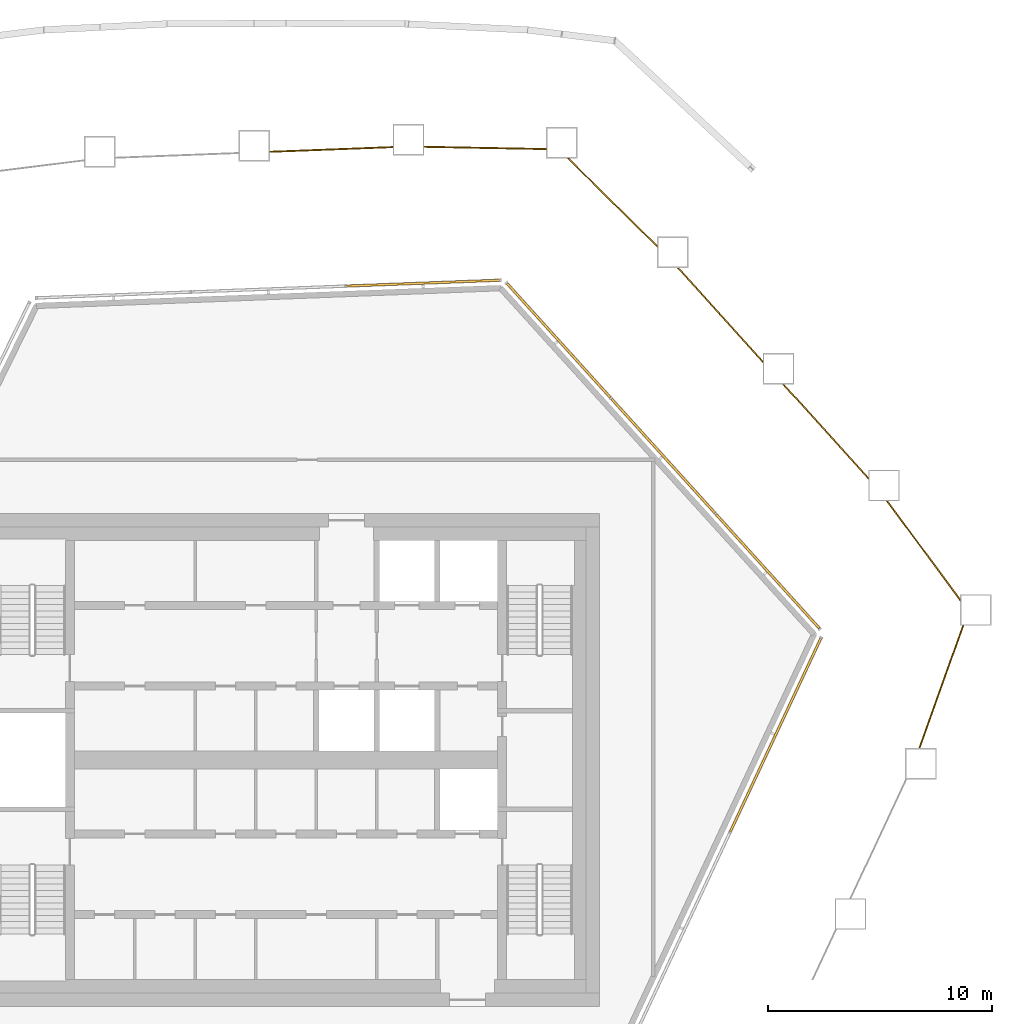
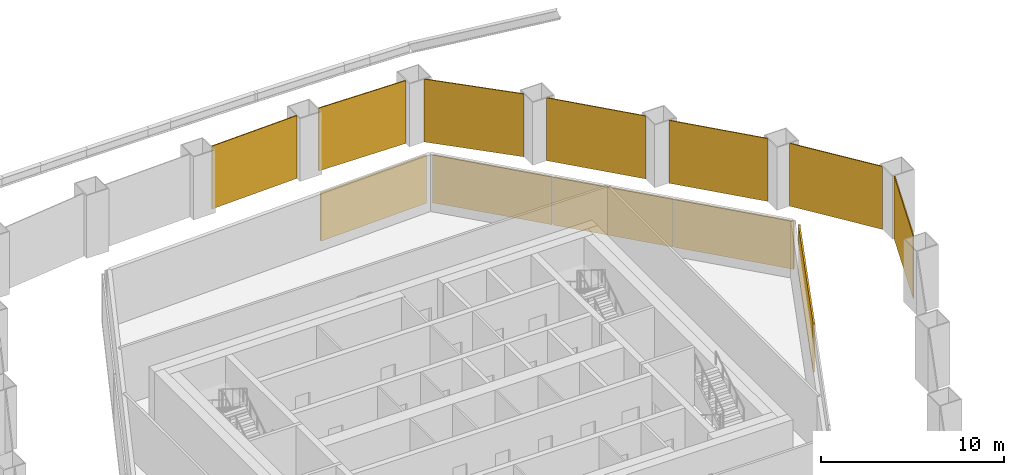
# One storey, part 18 of 18: 12 coverings, 3 elements without a shape of their own.
"""IFC4 building model written with IfcOpenShell, lengths in metres."""

from ifc_helpers import new_model, si_unit, direction, frame, origin, origin_2d, place, context, subcontext, project, spatial, polyline, rectangle, outline, extrude, material, layer, layer_set, type_object, element, aggregate, save


model = new_model("IFC4")

# Units and contexts
model_context = context("Model", 3, precision=1e-05, world=origin(), true_north=direction((0.0, 1.0)))
body_context = subcontext(model_context, "Body", "Model", "MODEL_VIEW")
ifc_project = project(units=[si_unit("LENGTHUNIT", "METRE"), si_unit("AREAUNIT", "SQUARE_METRE"), si_unit("VOLUMEUNIT", "CUBIC_METRE"), si_unit("PLANEANGLEUNIT", "RADIAN"), si_unit("MASSUNIT", "GRAM", prefix="KILO")], contexts=[model_context])

# Site, building, storey
site_placement = place(None, origin())
site = spatial("IfcSite", under=ifc_project, at=site_placement, CompositionType="ELEMENT")
building_placement = place(site_placement, origin())
building = spatial("IfcBuilding", under=site, at=building_placement, Name="Dongbaek Canopy Tower", CompositionType="ELEMENT")
storey_placement = place(building_placement, frame((0.0, 0.0, 371.60009765625)))
storey = spatial("IfcBuildingStorey", under=building, at=storey_placement, Name="L80", CompositionType="ELEMENT", Elevation=371.60009765625)

# Coverings
ifc_material_1 = material(Name="Perforated pale metal")
ifc_layer_1 = layer(ifc_material_1, 0.06005859375)
ifc_layer_set_1 = layer_set([ifc_layer_1], Name="Crown plant screen")
covering_type_1 = type_object("IfcCoveringType", Name="Crown plant screen", PredefinedType="CLADDING", material=ifc_layer_set_1)
covering_1_placement = place(storey_placement, origin())
element("IfcCovering", 1, at=covering_1_placement, inside=storey, type_object=covering_type_1, Name="Crown plant screen 13 L80", PredefinedType="CLADDING", context=body_context, shape_type="SweptSolid", body=[
    extrude(outline(polyline([(28.314453125, 0.530029296875), (28.250732421875, 0.530029296875), (30.20458984375, 5.998046875), (30.268310546875, 5.998046875), (28.314453125, 0.530029296875)])), origin(), (0.0, 0.0, 1.0), 4.199951171875),
])
covering_2_placement = place(storey_placement, origin())
element("IfcCovering", 2, at=covering_2_placement, inside=storey, type_object=covering_type_1, Name="Crown plant screen 14 L80", PredefinedType="CLADDING", context=body_context, shape_type="SweptSolid", body=[
    extrude(outline(polyline([(30.10498046875, 7.19189453125), (30.10498046875, 7.0908203125), (26.809326171875, 11.556884765625), (26.884033203125, 11.556884765625), (30.10498046875, 7.19189453125)])), origin(), (0.0, 0.0, 1.0), 4.199951171875),
])
covering_3_placement = place(storey_placement, origin())
element("IfcCovering", 3, at=covering_3_placement, inside=storey, type_object=covering_type_1, Name="Crown plant screen 15 L80", PredefinedType="CLADDING", context=body_context, shape_type="SweptSolid", body=[
    extrude(outline(polyline([(26.0029296875, 12.627685546875), (26.0029296875, 12.538330078125), (22.1787109375, 16.761962890625), (22.259521484375, 16.761962890625), (26.0029296875, 12.627685546875)])), origin(), (0.0, 0.0, 1.0), 4.199951171875),
])
covering_4_placement = place(storey_placement, origin())
element("IfcCovering", 4, at=covering_4_placement, inside=storey, type_object=covering_type_1, Name="Crown plant screen 16 L80", PredefinedType="CLADDING", context=body_context, shape_type="SweptSolid", body=[
    extrude(outline(polyline([(21.2900390625, 17.83251953125), (21.2900390625, 17.7431640625), (17.46484375, 21.966064453125), (17.5458984375, 21.966064453125), (21.2900390625, 17.83251953125)])), origin(), (0.0, 0.0, 1.0), 4.199951171875),
])
covering_5_placement = place(storey_placement, origin())
element("IfcCovering", 5, at=covering_5_placement, inside=storey, type_object=covering_type_1, Name="Crown plant screen 17 L80", PredefinedType="CLADDING", context=body_context, shape_type="SweptSolid", body=[
    extrude(outline(polyline([(16.575927734375, 22.9775390625), (16.575927734375, 22.893310546875), (12.553466796875, 26.863037109375), (12.638916015625, 26.863037109375), (16.575927734375, 22.9775390625)])), origin(), (0.0, 0.0, 1.0), 4.199951171875),
])
covering_6_placement = place(storey_placement, origin())
element("IfcCovering", 6, at=covering_6_placement, inside=storey, type_object=covering_type_1, Name="Crown plant screen 18 L80", PredefinedType="CLADDING", context=body_context, shape_type="SweptSolid", body=[
    extrude(outline(polyline([(11.614013671875, 27.30615234375), (11.614013671875, 27.24609375), (6.1708984375, 27.3486328125), (6.1708984375, 27.40869140625), (11.614013671875, 27.30615234375)])), origin(), (0.0, 0.0, 1.0), 4.199951171875),
])
covering_7_placement = place(storey_placement, origin())
element("IfcCovering", 7, at=covering_7_placement, inside=storey, type_object=covering_type_1, Name="Crown plant screen 19 L80", PredefinedType="CLADDING", context=body_context, shape_type="SweptSolid", body=[
    extrude(outline(polyline([(4.77099609375, 27.39501953125), (4.77099609375, 27.3349609375), (-0.718017578125, 27.12451171875), (-0.718017578125, 27.1845703125), (4.77099609375, 27.39501953125)])), origin(), (0.0, 0.0, 1.0), 4.199951171875),
])

# Curtain wall, covering
ifc_material_2 = material(Name="Aluminium 6063-T6 pale anodised", Category="aluminium")
ifc_layer_2 = layer(ifc_material_2, 0.14990234375)
ifc_layer_set_2 = layer_set([ifc_layer_2], Name="CW-7 louvre curtain wall")
curtain_wall_type = type_object("IfcCurtainWallType", Name="CW-7 louvre curtain wall", PredefinedType="NOTDEFINED", material=ifc_layer_set_2)
curtain_wall_1_placement = place(storey_placement, origin())
curtain_wall_1 = element("IfcCurtainWall", 8, at=curtain_wall_1_placement, inside=storey, type_object=curtain_wall_type, Name="CW-7 louvre wall L80 F1", PredefinedType="NOTDEFINED")
ifc_material_3 = material(Name="Aluminium 6063-T6 pale metal louvre blades", Category="aluminium")
ifc_layer_3 = layer(ifc_material_3, 0.10009765625)
ifc_layer_set_3 = layer_set([ifc_layer_3], Name="Louvre LV bank 100 x 3200")
covering_type_2 = type_object("IfcCoveringType", Name="Louvre LV bank 100 x 3200", PredefinedType="CLADDING", material=ifc_layer_set_3)
covering_8_placement = place(storey_placement, frame((21.86376953125, 1.118408203125, 0.2998046875), z_axis=(0.0, 0.0, 1.0), x_axis=(0.42412286138, 0.905604659029, 0.0)))
covering_8 = element("IfcCovering", 9, at=covering_8_placement, type_object=covering_type_2, Name="Louvre L80 F1.1.3", PredefinedType="CLADDING", context=body_context, shape_type="SweptSolid", body=[
    extrude(rectangle(XDim=9.510498046875, YDim=0.10009765625, at=origin_2d()), origin(), (0.0, 0.0, 1.0), 3.199951171875),
])
aggregate(curtain_wall_1, [covering_8])

# Curtain wall, coverings
curtain_wall_2_placement = place(storey_placement, origin())
curtain_wall_2 = element("IfcCurtainWall", 10, at=curtain_wall_2_placement, inside=storey, type_object=curtain_wall_type, Name="CW-7 louvre wall L80 F2", PredefinedType="NOTDEFINED")
covering_9_placement = place(storey_placement, frame((21.509033203125, 8.42529296875, 0.2998046875), z_axis=(0.0, 0.0, 1.0), x_axis=(-0.671259717142, 0.741222228581, 0.0)))
covering_9 = element("IfcCovering", 11, at=covering_9_placement, type_object=covering_type_2, Name="Louvre L80 F2.1.1", PredefinedType="CLADDING", context=body_context, shape_type="SweptSolid", body=[
    extrude(rectangle(XDim=6.86181640625, YDim=0.10009765625, at=origin_2d()), origin(), (0.0, 0.0, 1.0), 3.199951171875),
])
covering_10_placement = place(storey_placement, frame((16.842529296875, 13.578125, 0.2998046875), z_axis=(0.0, 0.0, 1.0), x_axis=(-0.671259717142, 0.741222228581, 0.0)))
covering_10 = element("IfcCovering", 12, at=covering_10_placement, type_object=covering_type_2, Name="Louvre L80 F2.1.2", PredefinedType="CLADDING", context=body_context, shape_type="SweptSolid", body=[
    extrude(rectangle(XDim=6.86181640625, YDim=0.10009765625, at=origin_2d()), origin(), (0.0, 0.0, 1.0), 3.199951171875),
])
covering_11_placement = place(storey_placement, frame((12.17578125, 18.73095703125, 0.2998046875), z_axis=(0.0, 0.0, 1.0), x_axis=(-0.671259717142, 0.741222228581, 0.0)))
covering_11 = element("IfcCovering", 13, at=covering_11_placement, type_object=covering_type_2, Name="Louvre L80 F2.1.3", PredefinedType="CLADDING", context=body_context, shape_type="SweptSolid", body=[
    extrude(rectangle(XDim=6.86181640625, YDim=0.10009765625, at=origin_2d()), origin(), (0.0, 0.0, 1.0), 3.199951171875),
])
aggregate(curtain_wall_2, [covering_9, covering_10, covering_11])

# Curtain wall, covering
curtain_wall_3_placement = place(storey_placement, origin())
curtain_wall_3 = element("IfcCurtainWall", 14, at=curtain_wall_3_placement, inside=storey, type_object=curtain_wall_type, Name="CW-7 louvre wall L80 F3", PredefinedType="NOTDEFINED")
covering_12_placement = place(storey_placement, frame((6.1162109375, 21.2900390625, 0.2998046875), z_axis=(0.0, 0.0, 1.0), x_axis=(-0.999268890611, -0.038231979514, 0.0)))
covering_12 = element("IfcCovering", 15, at=covering_12_placement, type_object=covering_type_2, Name="Louvre L80 F3.1.1", PredefinedType="CLADDING", context=body_context, shape_type="SweptSolid", body=[
    extrude(rectangle(XDim=6.822265625, YDim=0.10009765625, at=origin_2d()), origin(), (0.0, 0.0, 1.0), 3.199951171875),
])
aggregate(curtain_wall_3, [covering_12])

save(model, "model.ifc")
